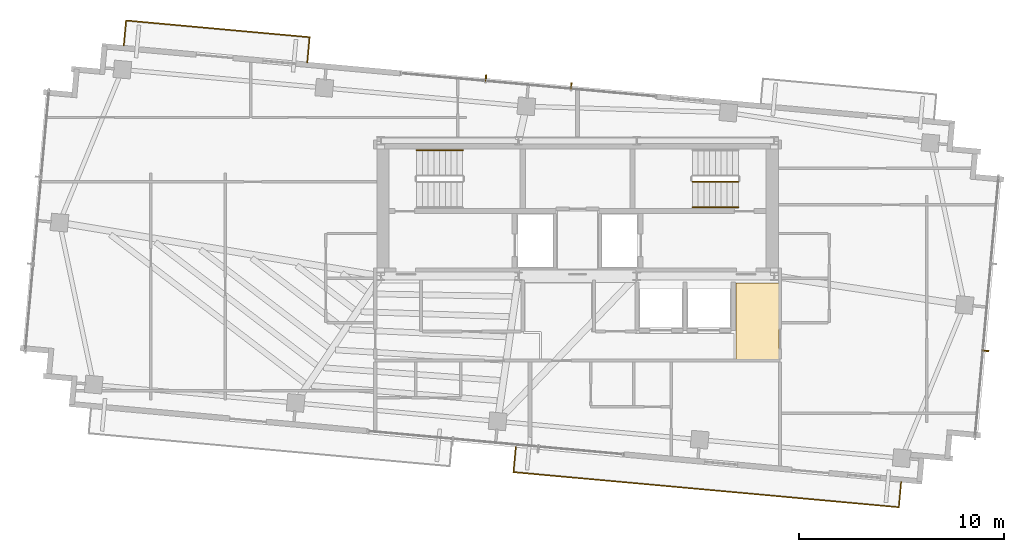
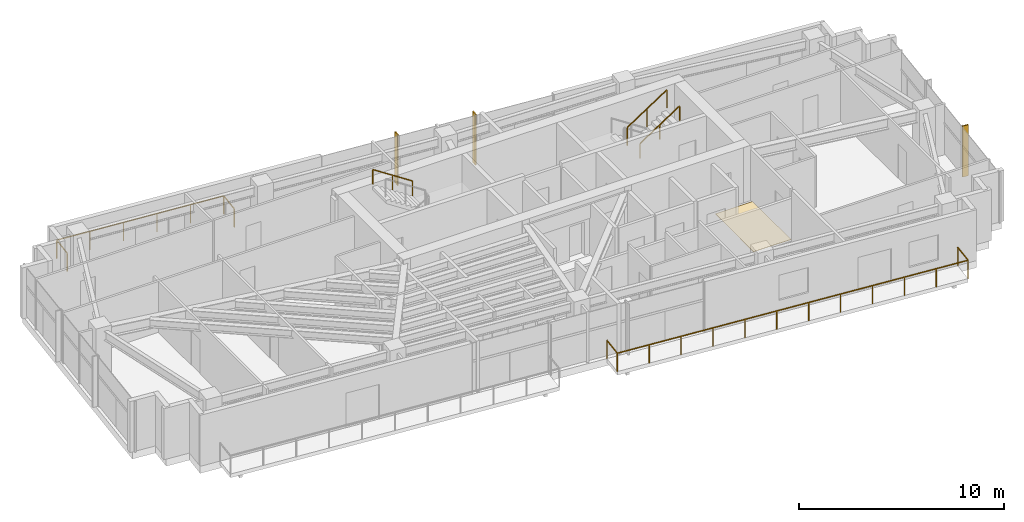
# One storey, part 21 of 22: 5 railings, 3 shading devices, 1 covering.
"""IFC4 building model written with IfcOpenShell, lengths in metres."""

from ifc_helpers import new_model, si_unit, direction, frame, origin, origin_2d, place, context, subcontext, project, spatial, polyline, rectangle, outline, extrude, source, transform, mapped, material, layer, layer_set, type_object, type_shapes, element, save


model = new_model("IFC4")

# Units and contexts
model_context = context("Model", 3, precision=1e-05, world=origin(), true_north=direction((0.0, 1.0)))
body_context = subcontext(model_context, "Body", "Model", "MODEL_VIEW")
ifc_project = project(units=[si_unit("LENGTHUNIT", "METRE"), si_unit("AREAUNIT", "SQUARE_METRE"), si_unit("VOLUMEUNIT", "CUBIC_METRE"), si_unit("PLANEANGLEUNIT", "RADIAN"), si_unit("MASSUNIT", "GRAM", prefix="KILO")], contexts=[model_context])

# Site, building, storey
site_placement = place(None, origin())
site = spatial("IfcSite", under=ifc_project, at=site_placement, CompositionType="ELEMENT")
building_placement = place(site_placement, origin())
building = spatial("IfcBuilding", under=site, at=building_placement, Name="Astriad Promenade Condominiums", CompositionType="ELEMENT")
storey_placement = place(building_placement, frame((0.0, 0.0, 216.60009765625)))
storey = spatial("IfcBuildingStorey", under=building, at=storey_placement, Name="L62", CompositionType="ELEMENT", Elevation=216.60009765625)

# Covering
ifc_material_1 = material(Name="Polished Lakefront Terrazzo Flooring")
ifc_layer = layer(ifc_material_1, 0.02001953125)
ifc_layer_set = layer_set([ifc_layer], Name="Polished Lakefront Terrazzo Flooring")
covering_type = type_object("IfcCoveringType", Name="COV-FLOR-TERRAZZO-20", PredefinedType="FLOORING", material=ifc_layer_set)
covering_placement = place(storey_placement, origin())
element("IfcCovering", 1, at=covering_placement, inside=storey, type_object=covering_type, Name="FLR-L62-COR-1", PredefinedType="FLOORING", context=body_context, shape_type="SweptSolid", body=[
    extrude(outline(polyline([(43.72998046875, 13.320068359375), (43.72998046875, 14.62353515625), (43.73095703125, 14.62451171875), (43.7333984375, 14.627685546875), (43.7353515625, 14.631103515625), (43.737060546875, 14.634765625), (43.73828125, 14.638427734375), (43.7392578125, 14.64208984375), (43.73974609375, 14.64599609375), (43.739990234375, 14.64990234375), (43.739990234375, 17.06005859375), (45.840087890625, 17.06005859375), (45.840087890625, 13.320068359375), (43.72998046875, 13.320068359375)])), origin(), (0.0, 0.0, 1.0), 0.02001953125),
])

# Shading devices
ifc_material_2 = material(Name="Anodised aluminium 6063-T6 Black Fin", Category="aluminium")
shading_device_type = type_object("IfcShadingDeviceType", Name="FIN-BLACK-260", PredefinedType="USERDEFINED", material=ifc_material_2)
shared_shape_1 = source(origin(), body_context, "Body", "SweptSolid", [
    extrude(rectangle(XDim=0.06494140625, YDim=0.320068359375, at=origin_2d()), origin(), (0.0, 0.0, 1.0), 3.0400390625),
])
type_shapes(shading_device_type, [shared_shape_1])
for number, where, z_axis, x_axis, name in (
    (2, (31.526123046875, 27.062744140625, 0.0), (0.0, 0.0, 1.0), (0.995884398616, -0.090632580198, 0.0), "CW-L62-N-FIN-01"),
    (3, (35.68896484375, 26.683837890625, 0.0), (0.0, 0.0, 1.0), (0.995884398616, -0.090632580198, 0.0), "CW-L62-N-FIN-02"),
    (4, (55.920166015625, 13.753662109375, 0.0), (0.0, 0.0, 1.0), (-0.090632580198, -0.995884398616, 0.0), "CW-L62-E-FIN-02"),
):
    element("IfcShadingDevice", number, at=place(storey_placement, frame(where, z_axis=z_axis, x_axis=x_axis)), inside=storey, type_object=shading_device_type, Name=name, ObjectType="FIN", PredefinedType="USERDEFINED", context=body_context, shape_type="MappedRepresentation", body=[
        mapped(shared_shape_1, transform((0.0, 0.0, 0.0), scale=1.0)),
    ])

# Railings
ifc_material_3 = material(Name="Laminated Glass and Stainless Steel Balustrade", Category="steel")
railing_type_1 = type_object("IfcRailingType", Name="GRD-BALC-1120", PredefinedType="BALUSTRADE", material=ifc_material_3)
shared_shape_2 = source(origin(), body_context, "Body", "SweptSolid", [
    extrude(rectangle(XDim=0.048095703125, YDim=0.048095703125, at=origin_2d()), frame((0.0, 0.0, 1.09619140625), z_axis=(-0.09066206129, -0.995881715186, 0.0), x_axis=(0.995881715186, -0.09066206129, 0.0)), (0.0, 0.0, 1.0), 1.219970703125),
    extrude(rectangle(XDim=0.048095703125, YDim=0.048095703125, at=origin_2d()), frame((-0.110595703125, -1.21484375, 1.09619140625), z_axis=(0.995884831761, -0.090627820611, 0.0), x_axis=(0.090627820611, 0.995884831761, 0.0)), (0.0, 0.0, 1.0), 18.88671875),
    extrude(rectangle(XDim=0.048095703125, YDim=0.048095703125, at=origin_2d()), frame((18.698486328125, -2.926513671875, 1.09619140625), z_axis=(0.09066206129, 0.995881715186, 0.0), x_axis=(-0.995881715186, 0.09066206129, 0.0)), (0.0, 0.0, 1.0), 1.219970703125),
    extrude(rectangle(XDim=0.0419921875, YDim=0.0419921875, at=origin_2d()), origin(), (0.0, 0.0, 1.0), 1.072021484375),
    extrude(rectangle(XDim=0.0419921875, YDim=0.0419921875, at=origin_2d()), frame((-0.110595703125, -1.21484375, 0.0)), (0.0, 0.0, 1.0), 1.072021484375),
    extrude(rectangle(XDim=0.0419921875, YDim=0.0419921875, at=origin_2d()), frame((1.599365234375, -1.370361328125, 0.0)), (0.0, 0.0, 1.0), 1.072021484375),
    extrude(rectangle(XDim=0.0419921875, YDim=0.0419921875, at=origin_2d()), frame((3.309326171875, -1.526123046875, 0.0)), (0.0, 0.0, 1.0), 1.072021484375),
    extrude(rectangle(XDim=0.0419921875, YDim=0.0419921875, at=origin_2d()), frame((5.01904296875, -1.681640625, 0.0)), (0.0, 0.0, 1.0), 1.072021484375),
    extrude(rectangle(XDim=0.0419921875, YDim=0.0419921875, at=origin_2d()), frame((6.72900390625, -1.837158203125, 0.0)), (0.0, 0.0, 1.0), 1.072021484375),
    extrude(rectangle(XDim=0.0419921875, YDim=0.0419921875, at=origin_2d()), frame((8.43896484375, -1.992919921875, 0.0)), (0.0, 0.0, 1.0), 1.072021484375),
    extrude(rectangle(XDim=0.0419921875, YDim=0.0419921875, at=origin_2d()), frame((10.14892578125, -2.1484375, 0.0)), (0.0, 0.0, 1.0), 1.072021484375),
    extrude(rectangle(XDim=0.0419921875, YDim=0.0419921875, at=origin_2d()), frame((11.85888671875, -2.30419921875, 0.0)), (0.0, 0.0, 1.0), 1.072021484375),
    extrude(rectangle(XDim=0.0419921875, YDim=0.0419921875, at=origin_2d()), frame((13.56884765625, -2.459716796875, 0.0)), (0.0, 0.0, 1.0), 1.072021484375),
    extrude(rectangle(XDim=0.0419921875, YDim=0.0419921875, at=origin_2d()), frame((15.278564453125, -2.615234375, 0.0)), (0.0, 0.0, 1.0), 1.072021484375),
    extrude(rectangle(XDim=0.0419921875, YDim=0.0419921875, at=origin_2d()), frame((16.988525390625, -2.77099609375, 0.0)), (0.0, 0.0, 1.0), 1.072021484375),
    extrude(rectangle(XDim=0.0419921875, YDim=0.0419921875, at=origin_2d()), frame((18.698486328125, -2.926513671875, 0.0)), (0.0, 0.0, 1.0), 1.072021484375),
    extrude(rectangle(XDim=0.0419921875, YDim=0.0419921875, at=origin_2d()), frame((18.80908203125, -1.711669921875, 0.0)), (0.0, 0.0, 1.0), 1.072021484375),
])
railing_1_placement = place(storey_placement, frame((32.9833984375, 9.04638671875, 0.0)))
element("IfcRailing", 5, at=railing_1_placement, inside=storey, type_object=railing_type_1, Name="GRD-BALC-L62-SE", PredefinedType="BALUSTRADE", context=body_context, shape_type="MappedRepresentation", body=[
    mapped(shared_shape_2, transform((0.0, 0.0, 0.0), scale=1.0)),
])
shared_shape_3 = source(origin(), body_context, "Body", "SweptSolid", [
    extrude(rectangle(XDim=0.048095703125, YDim=0.048095703125, at=origin_2d()), frame((0.0, 0.0, 1.09619140625), z_axis=(0.090643994769, 0.995883359743, 0.0), x_axis=(-0.995883359743, 0.090643994769, 0.0)), (0.0, 0.0, 1.0), 1.22021484375),
    extrude(rectangle(XDim=0.048095703125, YDim=0.048095703125, at=origin_2d()), frame((0.110595703125, 1.215087890625, 1.09619140625), z_axis=(-0.995884970838, 0.090626292315, 0.0), x_axis=(-0.090626292315, -0.995884970838, 0.0)), (0.0, 0.0, 1.0), 8.9951171875),
    extrude(rectangle(XDim=0.048095703125, YDim=0.048095703125, at=origin_2d()), frame((-8.847412109375, 2.0302734375, 1.09619140625), z_axis=(-0.09066206129, -0.995881715186, 0.0), x_axis=(0.995881715186, -0.09066206129, 0.0)), (0.0, 0.0, 1.0), 1.219970703125),
    extrude(rectangle(XDim=0.0419921875, YDim=0.0419921875, at=origin_2d()), origin(), (0.0, 0.0, 1.0), 1.072021484375),
    extrude(rectangle(XDim=0.0419921875, YDim=0.0419921875, at=origin_2d()), frame((0.110595703125, 1.215087890625, 0.0)), (0.0, 0.0, 1.0), 1.072021484375),
    extrude(rectangle(XDim=0.0419921875, YDim=0.0419921875, at=origin_2d()), frame((-1.680908203125, 1.378173828125, 0.0)), (0.0, 0.0, 1.0), 1.072021484375),
    extrude(rectangle(XDim=0.0419921875, YDim=0.0419921875, at=origin_2d()), frame((-3.47265625, 1.541259765625, 0.0)), (0.0, 0.0, 1.0), 1.072021484375),
    extrude(rectangle(XDim=0.0419921875, YDim=0.0419921875, at=origin_2d()), frame((-5.26416015625, 1.7041015625, 0.0)), (0.0, 0.0, 1.0), 1.072021484375),
    extrude(rectangle(XDim=0.0419921875, YDim=0.0419921875, at=origin_2d()), frame((-7.055908203125, 1.8671875, 0.0)), (0.0, 0.0, 1.0), 1.072021484375),
    extrude(rectangle(XDim=0.0419921875, YDim=0.0419921875, at=origin_2d()), frame((-8.847412109375, 2.0302734375, 0.0)), (0.0, 0.0, 1.0), 1.072021484375),
    extrude(rectangle(XDim=0.0419921875, YDim=0.0419921875, at=origin_2d()), frame((-8.9580078125, 0.8154296875, 0.0)), (0.0, 0.0, 1.0), 1.072021484375),
])
type_shapes(railing_type_1, [shared_shape_2, shared_shape_3])
railing_2_placement = place(storey_placement, frame((22.811279296875, 27.845703125, 0.0)))
element("IfcRailing", 6, at=railing_2_placement, inside=storey, type_object=railing_type_1, Name="GRD-BALC-L62-NW", PredefinedType="BALUSTRADE", context=body_context, shape_type="MappedRepresentation", body=[
    mapped(shared_shape_3, transform((0.0, 0.0, 0.0), scale=1.0)),
])
ifc_material_4 = material(Name="Painted Galvanised Steel Guardrail", Category="steel")
railing_type_2 = type_object("IfcRailingType", Name="GRD-STAIR-1100", PredefinedType="GUARDRAIL", material=ifc_material_4)
shared_shape_4 = source(origin(), body_context, "Body", "SweptSolid", [
    extrude(rectangle(XDim=0.048095703125, YDim=0.048095703125, at=origin_2d()), frame((0.0, 0.0, 1.076171875), z_axis=(0.836636935527, 0.0, 0.547757827979), x_axis=(0.0, 1.0, 0.0)), (0.0, 0.0, 1.0), 2.677490234375),
    extrude(rectangle(XDim=0.0419921875, YDim=0.0419921875, at=origin_2d()), origin(), (0.0, 0.0, 1.0), 1.052001953125),
    extrude(rectangle(XDim=0.0419921875, YDim=0.0419921875, at=origin_2d()), frame((1.1201171875, 0.0, 0.7333984375)), (0.0, 0.0, 1.0), 1.052001953125),
    extrude(rectangle(XDim=0.0419921875, YDim=0.0419921875, at=origin_2d()), frame((2.239990234375, 0.0, 1.466552734375)), (0.0, 0.0, 1.0), 1.052001953125),
])
type_shapes(railing_type_2, [shared_shape_4])
railing_3_placement = place(storey_placement, frame((41.610107421875, 22.0, 1.833251953125)))
element("IfcRailing", 7, at=railing_3_placement, inside=storey, type_object=railing_type_2, Name="L62 ST-2 stair guard 3", PredefinedType="GUARDRAIL", context=body_context, shape_type="MappedRepresentation", body=[
    mapped(shared_shape_4, transform((0.0, 0.0, 0.0), scale=1.0)),
])
ifc_material_5 = material(Name="Brushed Stainless Steel Handrail", Category="steel")
railing_type_3 = type_object("IfcRailingType", Name="HRL-STAIR-920", PredefinedType="HANDRAIL", material=ifc_material_5)
shared_shape_5 = source(origin(), body_context, "Body", "SweptSolid", [
    extrude(rectangle(XDim=0.048095703125, YDim=0.048095703125, at=origin_2d()), frame((0.0, 0.0, 0.8759765625), z_axis=(0.836636935527, 0.0, 0.547757827979), x_axis=(0.0, 1.0, 0.0)), (0.0, 0.0, 1.0), 2.677490234375),
    extrude(rectangle(XDim=0.0419921875, YDim=0.0419921875, at=origin_2d()), origin(), (0.0, 0.0, 1.0), 0.851806640625),
    extrude(rectangle(XDim=0.0419921875, YDim=0.0419921875, at=origin_2d()), frame((1.1201171875, 0.0, 0.7333984375)), (0.0, 0.0, 1.0), 0.851806640625),
    extrude(rectangle(XDim=0.0419921875, YDim=0.0419921875, at=origin_2d()), frame((2.239990234375, 0.0, 1.466552734375)), (0.0, 0.0, 1.0), 0.851806640625),
])
railing_4_placement = place(storey_placement, frame((41.610107421875, 20.75, 1.833251953125)))
element("IfcRailing", 8, at=railing_4_placement, inside=storey, type_object=railing_type_3, Name="L62 ST-2 stair handrail 2", PredefinedType="HANDRAIL", context=body_context, shape_type="MappedRepresentation", body=[
    mapped(shared_shape_5, transform((0.0, 0.0, 0.0), scale=1.0)),
])
shared_shape_6 = source(origin(), body_context, "Body", "SweptSolid", [
    extrude(rectangle(XDim=0.048095703125, YDim=0.048095703125, at=origin_2d()), frame((0.0, 0.0, 0.8759765625), z_axis=(-0.836636935527, 0.0, 0.547757827979), x_axis=(0.0, -1.0, 0.0)), (0.0, 0.0, 1.0), 2.677490234375),
    extrude(rectangle(XDim=0.0419921875, YDim=0.0419921875, at=origin_2d()), origin(), (0.0, 0.0, 1.0), 0.851806640625),
    extrude(rectangle(XDim=0.0419921875, YDim=0.0419921875, at=origin_2d()), frame((-1.1201171875, 0.0, 0.7333984375)), (0.0, 0.0, 1.0), 0.851806640625),
    extrude(rectangle(XDim=0.0419921875, YDim=0.0419921875, at=origin_2d()), frame((-2.239990234375, 0.0, 1.466552734375)), (0.0, 0.0, 1.0), 0.851806640625),
])
type_shapes(railing_type_3, [shared_shape_5, shared_shape_6])
railing_5_placement = place(storey_placement, frame((30.389892578125, 23.550048828125, 1.833251953125)))
element("IfcRailing", 9, at=railing_5_placement, inside=storey, type_object=railing_type_3, Name="L62 ST-1 stair handrail 2", PredefinedType="HANDRAIL", context=body_context, shape_type="MappedRepresentation", body=[
    mapped(shared_shape_6, transform((0.0, 0.0, 0.0), scale=1.0)),
])

save(model, "model.ifc")
